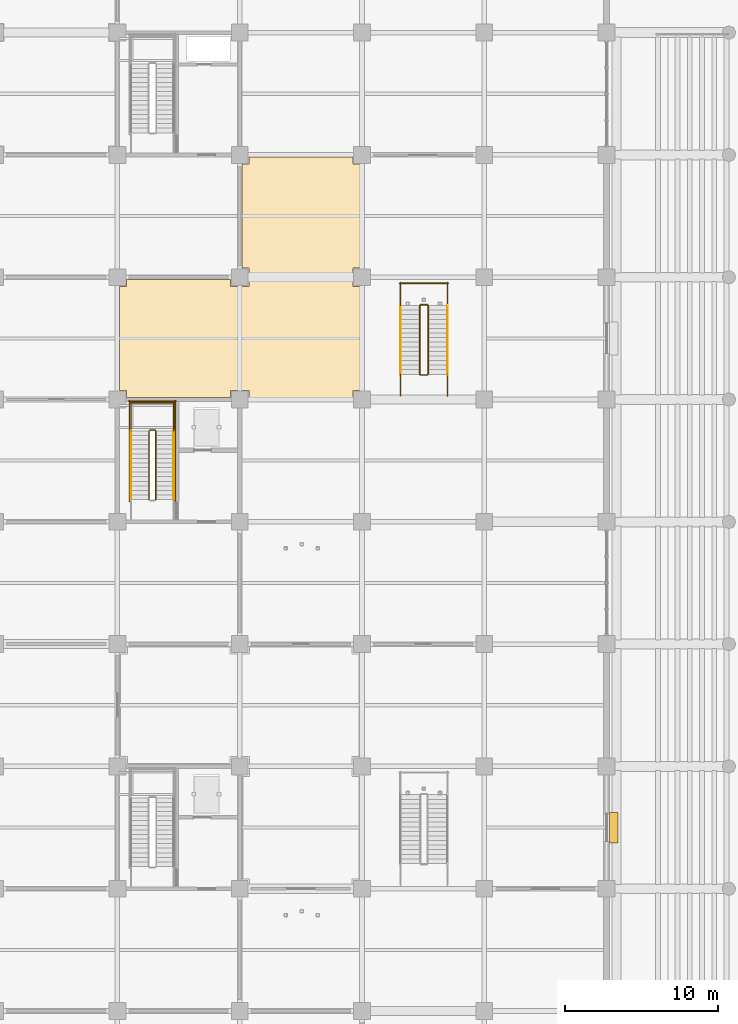
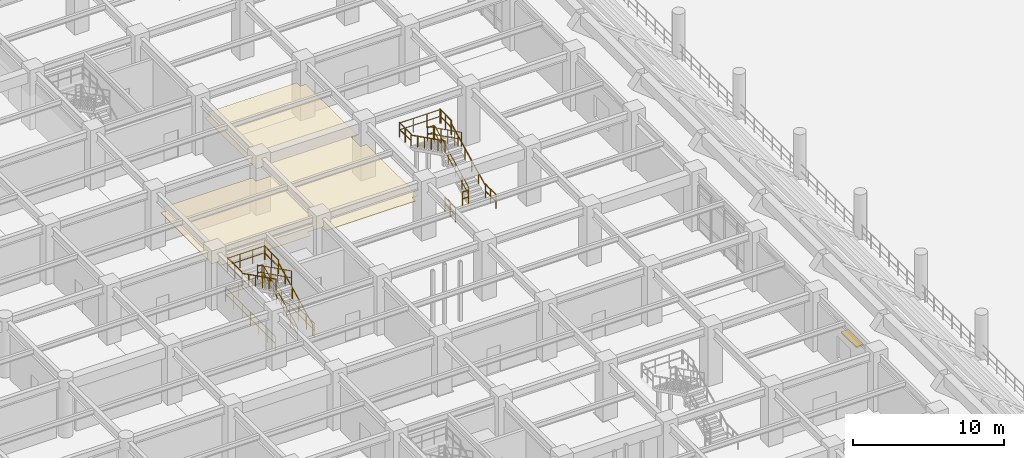
# One storey, part 110 of 125: 22 railings, 1 covering, 1 shading device.
"""IFC4 building model written with IfcOpenShell, lengths in metres."""

from ifc_helpers import new_model, si_unit, direction, frame, origin, origin_2d, place, context, subcontext, project, spatial, polyline, rectangle, circle, outline, extrude, material, layer, layer_set, type_object, element, save


model = new_model("IFC4")

# Units and contexts
model_context = context("Model", 3, precision=1e-05, world=origin(), true_north=direction((0.0, 1.0)))
body_context = subcontext(model_context, "Body", "Model", "MODEL_VIEW")
ifc_project = project(units=[si_unit("LENGTHUNIT", "METRE"), si_unit("AREAUNIT", "SQUARE_METRE"), si_unit("VOLUMEUNIT", "CUBIC_METRE"), si_unit("PLANEANGLEUNIT", "RADIAN"), si_unit("MASSUNIT", "GRAM", prefix="KILO")], contexts=[model_context])

# Site, building, storey
site_placement = place(None, origin())
site = spatial("IfcSite", under=ifc_project, at=site_placement, CompositionType="ELEMENT")
building_placement = place(site_placement, origin())
building = spatial("IfcBuilding", under=site, at=building_placement, Name="Haebicheon Civic Stadium", CompositionType="ELEMENT")
storey_placement = place(building_placement, origin())
storey = spatial("IfcBuildingStorey", under=building, at=storey_placement, Name="L01", CompositionType="ELEMENT", Elevation=0.0)

# Covering
ifc_material_1 = material(Name="Perforated mineral-fibre acoustic board", Category="gypsum")
ifc_layer_1 = layer(ifc_material_1, 0.0400390625, Name="Perforated mineral-fibre acoustic board")
ifc_layer_set_1 = layer_set([ifc_layer_1], Name="Perforated mineral-fibre acoustic board")
covering_type = type_object("IfcCoveringType", Name="COV-CLG-AC", PredefinedType="CEILING", material=ifc_layer_set_1)
covering_placement = place(storey_placement, frame((0.0, 0.0, 2.81005859375)))
element("IfcCovering", 1, at=covering_placement, inside=storey, type_object=covering_type, material=ifc_layer_set_1, Name="L01 Main Spectator Concourse acoustic ceiling", PredefinedType="CEILING", context=body_context, shape_type="SweptSolid", body=[
    extrude(outline(polyline([(32.14501953125, 119.405029296875), (32.594970703125, 119.405029296875), (32.594970703125, 119.85498046875), (39.405029296875, 119.85498046875), (39.405029296875, 119.405029296875), (40.594970703125, 119.405029296875), (40.594970703125, 120.594970703125), (40.14501953125, 120.594970703125), (40.14501953125, 127.405029296875), (40.594970703125, 127.405029296875), (40.594970703125, 127.85498046875), (47.405029296875, 127.85498046875), (47.405029296875, 127.405029296875), (47.85498046875, 127.405029296875), (47.85498046875, 120.594970703125), (47.405029296875, 120.594970703125), (47.405029296875, 119.405029296875), (47.85498046875, 119.405029296875), (47.85498046875, 112.594970703125), (47.405029296875, 112.594970703125), (47.405029296875, 112.14501953125), (40.594970703125, 112.14501953125), (40.594970703125, 112.594970703125), (39.405029296875, 112.594970703125), (39.405029296875, 112.14501953125), (32.594970703125, 112.14501953125), (32.594970703125, 112.594970703125), (32.14501953125, 112.594970703125), (32.14501953125, 119.405029296875)])), origin(), (0.0, 0.0, 1.0), 0.0400390625),
])

# Railings
ifc_material_2 = material(Name="Galvanised painted steel SM355", Category="steel")
railing_type_1 = type_object("IfcRailingType", Name="RL-GRD-1150", PredefinedType="GUARDRAIL", material=ifc_material_2)
railing_1_placement = place(storey_placement, frame((34.510009765625, 105.449951171875, 0.14990234375)))
element("IfcRailing", 2, at=railing_1_placement, inside=storey, type_object=railing_type_1, material=ifc_material_2, Name="L01 ST-04 stair guard 1", PredefinedType="GUARDRAIL", context=body_context, shape_type="SweptSolid", body=[
    extrude(circle(Radius=0.02392578125, at=origin_2d()), frame((0.0, 0.0, 1.1259765625), z_axis=(0.0, 0.894427191, 0.4472135955), x_axis=(-1.0, 0.0, 0.0)), (0.0, 0.0, 1.0), 5.03125),
    extrude(circle(Radius=0.02392578125, at=origin_2d()), frame((0.0, 0.0, 0.574951171875), z_axis=(0.0, 0.894427191, 0.4472135955), x_axis=(-1.0, 0.0, 0.0)), (0.0, 0.0, 1.0), 5.03125),
    extrude(circle(Radius=0.02099609375, at=origin_2d()), origin(), (0.0, 0.0, 1.0), 1.101806640625),
    extrude(circle(Radius=0.02099609375, at=origin_2d()), frame((0.0, 0.89990234375, 0.449951171875)), (0.0, 0.0, 1.0), 1.101806640625),
    extrude(circle(Radius=0.02099609375, at=origin_2d()), frame((0.0, 1.800048828125, 0.89990234375)), (0.0, 0.0, 1.0), 1.101806640625),
    extrude(circle(Radius=0.02099609375, at=origin_2d()), frame((0.0, 2.699951171875, 1.35009765625)), (0.0, 0.0, 1.0), 1.101806640625),
    extrude(circle(Radius=0.02099609375, at=origin_2d()), frame((0.0, 3.60009765625, 1.800048828125)), (0.0, 0.0, 1.0), 1.101806640625),
    extrude(circle(Radius=0.02099609375, at=origin_2d()), frame((0.0, 4.5, 2.25)), (0.0, 0.0, 1.0), 1.101806640625),
])
railing_2_placement = place(storey_placement, frame((34.4599609375, 110.0, 2.39990234375)))
element("IfcRailing", 3, at=railing_2_placement, inside=storey, type_object=railing_type_1, material=ifc_material_2, Name="L01 ST-04 stair guard 2", PredefinedType="GUARDRAIL", context=body_context, shape_type="SweptSolid", body=[
    extrude(circle(Radius=0.02392578125, at=origin_2d()), frame((0.0, 0.0, 1.1259765625), z_axis=(-1.0, 0.0, 0.0), x_axis=(0.0, -1.0, 0.0)), (0.0, 0.0, 1.0), 0.33984375),
    extrude(circle(Radius=0.02392578125, at=origin_2d()), frame((0.0, 0.0, 0.574951171875), z_axis=(-1.0, 0.0, 0.0), x_axis=(0.0, -1.0, 0.0)), (0.0, 0.0, 1.0), 0.33984375),
    extrude(circle(Radius=0.02099609375, at=origin_2d()), origin(), (0.0, 0.0, 1.0), 1.101806640625),
    extrude(circle(Radius=0.02099609375, at=origin_2d()), frame((-0.33984375, 0.0, 0.0)), (0.0, 0.0, 1.0), 1.101806640625),
])
for number, where, name in (
    (4, (35.68994140625, 109.949951171875, 2.39990234375), "L01 ST-04 stair guard 3"),
    (5, (32.889892578125, 109.949951171875, 2.39990234375), "L01 ST-04 stair guard 4"),
):
    element("IfcRailing", number, at=place(storey_placement, frame(where)), inside=storey, type_object=railing_type_1, material=ifc_material_2, Name=name, PredefinedType="GUARDRAIL", context=body_context, shape_type="SweptSolid", body=[
        extrude(circle(Radius=0.02392578125, at=origin_2d()), frame((0.0, 0.0, 1.1259765625), z_axis=(0.0, 1.0, 0.0), x_axis=(-1.0, 0.0, 0.0)), (0.0, 0.0, 1.0), 1.89013671875),
        extrude(circle(Radius=0.02392578125, at=origin_2d()), frame((0.0, 0.0, 0.574951171875), z_axis=(0.0, 1.0, 0.0), x_axis=(-1.0, 0.0, 0.0)), (0.0, 0.0, 1.0), 1.89013671875),
        extrude(circle(Radius=0.02099609375, at=origin_2d()), origin(), (0.0, 0.0, 1.0), 1.101806640625),
        extrude(circle(Radius=0.02099609375, at=origin_2d()), frame((0.0, 0.945068359375, 0.0)), (0.0, 0.0, 1.0), 1.101806640625),
        extrude(circle(Radius=0.02099609375, at=origin_2d()), frame((0.0, 1.89013671875, 0.0)), (0.0, 0.0, 1.0), 1.101806640625),
    ])
railing_3_placement = place(storey_placement, frame((35.739990234375, 111.7900390625, 2.39990234375)))
element("IfcRailing", 6, at=railing_3_placement, inside=storey, type_object=railing_type_1, material=ifc_material_2, Name="L01 ST-04 stair guard 5", PredefinedType="GUARDRAIL", context=body_context, shape_type="SweptSolid", body=[
    extrude(circle(Radius=0.02392578125, at=origin_2d()), frame((0.0, 0.0, 1.1259765625), z_axis=(-1.0, 0.0, 0.0), x_axis=(0.0, -1.0, 0.0)), (0.0, 0.0, 1.0), 2.89990234375),
    extrude(circle(Radius=0.02392578125, at=origin_2d()), frame((0.0, 0.0, 0.574951171875), z_axis=(-1.0, 0.0, 0.0), x_axis=(0.0, -1.0, 0.0)), (0.0, 0.0, 1.0), 2.89990234375),
    extrude(circle(Radius=0.02099609375, at=origin_2d()), origin(), (0.0, 0.0, 1.0), 1.101806640625),
    extrude(circle(Radius=0.02099609375, at=origin_2d()), frame((-0.966552734375, 0.0, 0.0)), (0.0, 0.0, 1.0), 1.101806640625),
    extrude(circle(Radius=0.02099609375, at=origin_2d()), frame((-1.933349609375, 0.0, 0.0)), (0.0, 0.0, 1.0), 1.101806640625),
    extrude(circle(Radius=0.02099609375, at=origin_2d()), frame((-2.89990234375, 0.0, 0.0)), (0.0, 0.0, 1.0), 1.101806640625),
])
railing_4_placement = place(storey_placement, frame((34.070068359375, 109.949951171875, 2.550048828125)))
element("IfcRailing", 7, at=railing_4_placement, inside=storey, type_object=railing_type_1, material=ifc_material_2, Name="L01 ST-04 stair guard 6", PredefinedType="GUARDRAIL", context=body_context, shape_type="SweptSolid", body=[
    extrude(circle(Radius=0.02392578125, at=origin_2d()), frame((0.0, 0.0, 1.1259765625), z_axis=(0.0, -0.894427191, 0.4472135955), x_axis=(1.0, 0.0, 0.0)), (0.0, 0.0, 1.0), 5.03125),
    extrude(circle(Radius=0.02392578125, at=origin_2d()), frame((0.0, 0.0, 0.574951171875), z_axis=(0.0, -0.894427191, 0.4472135955), x_axis=(1.0, 0.0, 0.0)), (0.0, 0.0, 1.0), 5.03125),
    extrude(circle(Radius=0.02099609375, at=origin_2d()), origin(), (0.0, 0.0, 1.0), 1.101806640625),
    extrude(circle(Radius=0.02099609375, at=origin_2d()), frame((0.0, -0.89990234375, 0.449951171875)), (0.0, 0.0, 1.0), 1.101806640625),
    extrude(circle(Radius=0.02099609375, at=origin_2d()), frame((0.0, -1.800048828125, 0.89990234375)), (0.0, 0.0, 1.0), 1.101806640625),
    extrude(circle(Radius=0.02099609375, at=origin_2d()), frame((0.0, -2.699951171875, 1.35009765625)), (0.0, 0.0, 1.0), 1.101806640625),
    extrude(circle(Radius=0.02099609375, at=origin_2d()), frame((0.0, -3.60009765625, 1.800048828125)), (0.0, 0.0, 1.0), 1.101806640625),
    extrude(circle(Radius=0.02099609375, at=origin_2d()), frame((0.0, -4.5, 2.25)), (0.0, 0.0, 1.0), 1.101806640625),
])
for number, where, name in (
    (8, (35.7900390625, 105.35009765625, 0.0), "L01 ST-04 stair guard 10"),
    (9, (32.7900390625, 105.35009765625, 0.0), "L01 ST-04 stair guard 11"),
):
    element("IfcRailing", number, at=place(storey_placement, frame(where)), inside=storey, type_object=railing_type_1, material=ifc_material_2, Name=name, PredefinedType="GUARDRAIL", context=body_context, shape_type="SweptSolid", body=[
        extrude(circle(Radius=0.02392578125, at=origin_2d()), frame((0.0, 0.0, 1.1259765625), z_axis=(0.0, 1.0, 0.0), x_axis=(-1.0, 0.0, 0.0)), (0.0, 0.0, 1.0), 6.58984375),
        extrude(circle(Radius=0.02392578125, at=origin_2d()), frame((0.0, 0.0, 0.574951171875), z_axis=(0.0, 1.0, 0.0), x_axis=(-1.0, 0.0, 0.0)), (0.0, 0.0, 1.0), 6.58984375),
        extrude(circle(Radius=0.02099609375, at=origin_2d()), origin(), (0.0, 0.0, 1.0), 1.101806640625),
        extrude(circle(Radius=0.02099609375, at=origin_2d()), frame((0.0, 1.098388671875, 0.0)), (0.0, 0.0, 1.0), 1.101806640625),
        extrude(circle(Radius=0.02099609375, at=origin_2d()), frame((0.0, 2.196533203125, 0.0)), (0.0, 0.0, 1.0), 1.101806640625),
        extrude(circle(Radius=0.02099609375, at=origin_2d()), frame((0.0, 3.294921875, 0.0)), (0.0, 0.0, 1.0), 1.101806640625),
        extrude(circle(Radius=0.02099609375, at=origin_2d()), frame((0.0, 4.393310546875, 0.0)), (0.0, 0.0, 1.0), 1.101806640625),
        extrude(circle(Radius=0.02099609375, at=origin_2d()), frame((0.0, 5.491455078125, 0.0)), (0.0, 0.0, 1.0), 1.101806640625),
        extrude(circle(Radius=0.02099609375, at=origin_2d()), frame((0.0, 6.58984375, 0.0)), (0.0, 0.0, 1.0), 1.101806640625),
    ])
railing_5_placement = place(storey_placement, frame((35.840087890625, 111.889892578125, 0.0)))
element("IfcRailing", 10, at=railing_5_placement, inside=storey, type_object=railing_type_1, material=ifc_material_2, Name="L01 ST-04 stair guard 12", PredefinedType="GUARDRAIL", context=body_context, shape_type="SweptSolid", body=[
    extrude(circle(Radius=0.02392578125, at=origin_2d()), frame((0.0, 0.0, 1.1259765625), z_axis=(-1.0, 0.0, 0.0), x_axis=(0.0, -1.0, 0.0)), (0.0, 0.0, 1.0), 3.10009765625),
    extrude(circle(Radius=0.02392578125, at=origin_2d()), frame((0.0, 0.0, 0.574951171875), z_axis=(-1.0, 0.0, 0.0), x_axis=(0.0, -1.0, 0.0)), (0.0, 0.0, 1.0), 3.10009765625),
    extrude(circle(Radius=0.02099609375, at=origin_2d()), origin(), (0.0, 0.0, 1.0), 1.101806640625),
    extrude(circle(Radius=0.02099609375, at=origin_2d()), frame((-1.033447265625, 0.0, 0.0)), (0.0, 0.0, 1.0), 1.101806640625),
    extrude(circle(Radius=0.02099609375, at=origin_2d()), frame((-2.066650390625, 0.0, 0.0)), (0.0, 0.0, 1.0), 1.101806640625),
    extrude(circle(Radius=0.02099609375, at=origin_2d()), frame((-3.10009765625, 0.0, 0.0)), (0.0, 0.0, 1.0), 1.101806640625),
])
railing_6_placement = place(storey_placement, frame((52.330078125, 113.64990234375, 0.14990234375)))
element("IfcRailing", 11, at=railing_6_placement, inside=storey, type_object=railing_type_1, material=ifc_material_2, Name="L01 VM-03 stair guard 1", PredefinedType="GUARDRAIL", context=body_context, shape_type="SweptSolid", body=[
    extrude(circle(Radius=0.02392578125, at=origin_2d()), frame((0.0, 0.0, 1.1259765625), z_axis=(0.0, 0.894427191, 0.4472135955), x_axis=(-1.0, 0.0, 0.0)), (0.0, 0.0, 1.0), 5.03125),
    extrude(circle(Radius=0.02392578125, at=origin_2d()), frame((0.0, 0.0, 0.574951171875), z_axis=(0.0, 0.894427191, 0.4472135955), x_axis=(-1.0, 0.0, 0.0)), (0.0, 0.0, 1.0), 5.03125),
    extrude(circle(Radius=0.02099609375, at=origin_2d()), origin(), (0.0, 0.0, 1.0), 1.101806640625),
    extrude(circle(Radius=0.02099609375, at=origin_2d()), frame((0.0, 0.89990234375, 0.449951171875)), (0.0, 0.0, 1.0), 1.101806640625),
    extrude(circle(Radius=0.02099609375, at=origin_2d()), frame((0.0, 1.800048828125, 0.89990234375)), (0.0, 0.0, 1.0), 1.101806640625),
    extrude(circle(Radius=0.02099609375, at=origin_2d()), frame((0.0, 2.699951171875, 1.35009765625)), (0.0, 0.0, 1.0), 1.101806640625),
    extrude(circle(Radius=0.02099609375, at=origin_2d()), frame((0.0, 3.60009765625, 1.800048828125)), (0.0, 0.0, 1.0), 1.101806640625),
    extrude(circle(Radius=0.02099609375, at=origin_2d()), frame((0.0, 4.5, 2.25)), (0.0, 0.0, 1.0), 1.101806640625),
])
railing_7_placement = place(storey_placement, frame((52.280029296875, 118.199951171875, 2.39990234375)))
element("IfcRailing", 12, at=railing_7_placement, inside=storey, type_object=railing_type_1, material=ifc_material_2, Name="L01 VM-03 stair guard 2", PredefinedType="GUARDRAIL", context=body_context, shape_type="SweptSolid", body=[
    extrude(circle(Radius=0.02392578125, at=origin_2d()), frame((0.0, 0.0, 1.1259765625), z_axis=(-1.0, 0.0, 0.0), x_axis=(0.0, -1.0, 0.0)), (0.0, 0.0, 1.0), 0.4599609375),
    extrude(circle(Radius=0.02392578125, at=origin_2d()), frame((0.0, 0.0, 0.574951171875), z_axis=(-1.0, 0.0, 0.0), x_axis=(0.0, -1.0, 0.0)), (0.0, 0.0, 1.0), 0.4599609375),
    extrude(circle(Radius=0.02099609375, at=origin_2d()), origin(), (0.0, 0.0, 1.0), 1.101806640625),
    extrude(circle(Radius=0.02099609375, at=origin_2d()), frame((-0.4599609375, 0.0, 0.0)), (0.0, 0.0, 1.0), 1.101806640625),
])
for number, where, name in (
    (13, (53.590087890625, 118.14990234375, 2.39990234375), "L01 VM-03 stair guard 3"),
    (14, (50.510009765625, 118.14990234375, 2.39990234375), "L01 VM-03 stair guard 4"),
):
    element("IfcRailing", number, at=place(storey_placement, frame(where)), inside=storey, type_object=railing_type_1, material=ifc_material_2, Name=name, PredefinedType="GUARDRAIL", context=body_context, shape_type="SweptSolid", body=[
        extrude(circle(Radius=0.02392578125, at=origin_2d()), frame((0.0, 0.0, 1.1259765625), z_axis=(0.0, 1.0, 0.0), x_axis=(-1.0, 0.0, 0.0)), (0.0, 0.0, 1.0), 1.5),
        extrude(circle(Radius=0.02392578125, at=origin_2d()), frame((0.0, 0.0, 0.574951171875), z_axis=(0.0, 1.0, 0.0), x_axis=(-1.0, 0.0, 0.0)), (0.0, 0.0, 1.0), 1.5),
        extrude(circle(Radius=0.02099609375, at=origin_2d()), origin(), (0.0, 0.0, 1.0), 1.101806640625),
        extrude(circle(Radius=0.02099609375, at=origin_2d()), frame((0.0, 0.75, 0.0)), (0.0, 0.0, 1.0), 1.101806640625),
        extrude(circle(Radius=0.02099609375, at=origin_2d()), frame((0.0, 1.5, 0.0)), (0.0, 0.0, 1.0), 1.101806640625),
    ])
railing_8_placement = place(storey_placement, frame((53.639892578125, 119.60009765625, 2.39990234375)))
element("IfcRailing", 15, at=railing_8_placement, inside=storey, type_object=railing_type_1, material=ifc_material_2, Name="L01 VM-03 stair guard 5", PredefinedType="GUARDRAIL", context=body_context, shape_type="SweptSolid", body=[
    extrude(circle(Radius=0.02392578125, at=origin_2d()), frame((0.0, 0.0, 1.1259765625), z_axis=(-1.0, 0.0, 0.0), x_axis=(0.0, -1.0, 0.0)), (0.0, 0.0, 1.0), 3.179931640625),
    extrude(circle(Radius=0.02392578125, at=origin_2d()), frame((0.0, 0.0, 0.574951171875), z_axis=(-1.0, 0.0, 0.0), x_axis=(0.0, -1.0, 0.0)), (0.0, 0.0, 1.0), 3.179931640625),
    extrude(circle(Radius=0.02099609375, at=origin_2d()), origin(), (0.0, 0.0, 1.0), 1.101806640625),
    extrude(circle(Radius=0.02099609375, at=origin_2d()), frame((-1.06005859375, 0.0, 0.0)), (0.0, 0.0, 1.0), 1.101806640625),
    extrude(circle(Radius=0.02099609375, at=origin_2d()), frame((-2.119873046875, 0.0, 0.0)), (0.0, 0.0, 1.0), 1.101806640625),
    extrude(circle(Radius=0.02099609375, at=origin_2d()), frame((-3.179931640625, 0.0, 0.0)), (0.0, 0.0, 1.0), 1.101806640625),
])
railing_9_placement = place(storey_placement, frame((51.77001953125, 118.14990234375, 2.550048828125)))
element("IfcRailing", 16, at=railing_9_placement, inside=storey, type_object=railing_type_1, material=ifc_material_2, Name="L01 VM-03 stair guard 6", PredefinedType="GUARDRAIL", context=body_context, shape_type="SweptSolid", body=[
    extrude(circle(Radius=0.02392578125, at=origin_2d()), frame((0.0, 0.0, 1.1259765625), z_axis=(0.0, -0.894427191, 0.4472135955), x_axis=(1.0, 0.0, 0.0)), (0.0, 0.0, 1.0), 5.03125),
    extrude(circle(Radius=0.02392578125, at=origin_2d()), frame((0.0, 0.0, 0.574951171875), z_axis=(0.0, -0.894427191, 0.4472135955), x_axis=(1.0, 0.0, 0.0)), (0.0, 0.0, 1.0), 5.03125),
    extrude(circle(Radius=0.02099609375, at=origin_2d()), origin(), (0.0, 0.0, 1.0), 1.101806640625),
    extrude(circle(Radius=0.02099609375, at=origin_2d()), frame((0.0, -0.89990234375, 0.449951171875)), (0.0, 0.0, 1.0), 1.101806640625),
    extrude(circle(Radius=0.02099609375, at=origin_2d()), frame((0.0, -1.800048828125, 0.89990234375)), (0.0, 0.0, 1.0), 1.101806640625),
    extrude(circle(Radius=0.02099609375, at=origin_2d()), frame((0.0, -2.699951171875, 1.35009765625)), (0.0, 0.0, 1.0), 1.101806640625),
    extrude(circle(Radius=0.02099609375, at=origin_2d()), frame((0.0, -3.60009765625, 1.800048828125)), (0.0, 0.0, 1.0), 1.101806640625),
    extrude(circle(Radius=0.02099609375, at=origin_2d()), frame((0.0, -4.5, 2.25)), (0.0, 0.0, 1.0), 1.101806640625),
])
railing_10_placement = place(storey_placement, frame((52.280029296875, 113.60009765625, 0.0)))
element("IfcRailing", 17, at=railing_10_placement, inside=storey, type_object=railing_type_1, material=ifc_material_2, Name="L01 VM-03 stair guard 7", PredefinedType="GUARDRAIL", context=body_context, shape_type="SweptSolid", body=[
    extrude(circle(Radius=0.02392578125, at=origin_2d()), frame((0.0, 0.0, 1.1259765625), z_axis=(-1.0, 0.0, 0.0), x_axis=(0.0, -1.0, 0.0)), (0.0, 0.0, 1.0), 0.4599609375),
    extrude(circle(Radius=0.02392578125, at=origin_2d()), frame((0.0, 0.0, 0.574951171875), z_axis=(-1.0, 0.0, 0.0), x_axis=(0.0, -1.0, 0.0)), (0.0, 0.0, 1.0), 0.4599609375),
    extrude(circle(Radius=0.02099609375, at=origin_2d()), origin(), (0.0, 0.0, 1.0), 1.101806640625),
    extrude(circle(Radius=0.02099609375, at=origin_2d()), frame((-0.4599609375, 0.0, 0.0)), (0.0, 0.0, 1.0), 1.101806640625),
])
for number, where, name in (
    (18, (53.590087890625, 112.25, 0.0), "L01 VM-03 stair guard 8"),
    (19, (50.510009765625, 112.25, 0.0), "L01 VM-03 stair guard 9"),
):
    element("IfcRailing", number, at=place(storey_placement, frame(where)), inside=storey, type_object=railing_type_1, material=ifc_material_2, Name=name, PredefinedType="GUARDRAIL", context=body_context, shape_type="SweptSolid", body=[
        extrude(circle(Radius=0.02392578125, at=origin_2d()), frame((0.0, 0.0, 1.1259765625), z_axis=(0.0, 1.0, 0.0), x_axis=(-1.0, 0.0, 0.0)), (0.0, 0.0, 1.0), 1.39990234375),
        extrude(circle(Radius=0.02392578125, at=origin_2d()), frame((0.0, 0.0, 0.574951171875), z_axis=(0.0, 1.0, 0.0), x_axis=(-1.0, 0.0, 0.0)), (0.0, 0.0, 1.0), 1.39990234375),
        extrude(circle(Radius=0.02099609375, at=origin_2d()), origin(), (0.0, 0.0, 1.0), 1.101806640625),
        extrude(circle(Radius=0.02099609375, at=origin_2d()), frame((0.0, 0.699951171875, 0.0)), (0.0, 0.0, 1.0), 1.101806640625),
        extrude(circle(Radius=0.02099609375, at=origin_2d()), frame((0.0, 1.39990234375, 0.0)), (0.0, 0.0, 1.0), 1.101806640625),
    ])
ifc_material_3 = material(Name="Stainless steel 316", Category="steel")
railing_type_2 = type_object("IfcRailingType", Name="RL-HND-900", PredefinedType="HANDRAIL", material=ifc_material_3)
railing_11_placement = place(storey_placement, frame((35.68994140625, 105.449951171875, 0.14990234375)))
element("IfcRailing", 20, at=railing_11_placement, inside=storey, type_object=railing_type_2, material=ifc_material_3, Name="L01 ST-04 stair handrail 1", PredefinedType="HANDRAIL", context=body_context, shape_type="SweptSolid", body=[
    extrude(circle(Radius=0.02392578125, at=origin_2d()), frame((0.0, 0.0, 0.8759765625), z_axis=(0.0, 0.894427191, 0.4472135955), x_axis=(-1.0, 0.0, 0.0)), (0.0, 0.0, 1.0), 5.03125),
    extrude(circle(Radius=0.02099609375, at=origin_2d()), origin(), (0.0, 0.0, 1.0), 0.851806640625),
    extrude(circle(Radius=0.02099609375, at=origin_2d()), frame((0.0, 0.89990234375, 0.449951171875)), (0.0, 0.0, 1.0), 0.851806640625),
    extrude(circle(Radius=0.02099609375, at=origin_2d()), frame((0.0, 1.800048828125, 0.89990234375)), (0.0, 0.0, 1.0), 0.851806640625),
    extrude(circle(Radius=0.02099609375, at=origin_2d()), frame((0.0, 2.699951171875, 1.35009765625)), (0.0, 0.0, 1.0), 0.851806640625),
    extrude(circle(Radius=0.02099609375, at=origin_2d()), frame((0.0, 3.60009765625, 1.800048828125)), (0.0, 0.0, 1.0), 0.851806640625),
    extrude(circle(Radius=0.02099609375, at=origin_2d()), frame((0.0, 4.5, 2.25)), (0.0, 0.0, 1.0), 0.851806640625),
])
railing_12_placement = place(storey_placement, frame((32.889892578125, 109.949951171875, 2.550048828125)))
element("IfcRailing", 21, at=railing_12_placement, inside=storey, type_object=railing_type_2, material=ifc_material_3, Name="L01 ST-04 stair handrail 2", PredefinedType="HANDRAIL", context=body_context, shape_type="SweptSolid", body=[
    extrude(circle(Radius=0.02392578125, at=origin_2d()), frame((0.0, 0.0, 0.8759765625), z_axis=(0.0, -0.894427191, 0.4472135955), x_axis=(1.0, 0.0, 0.0)), (0.0, 0.0, 1.0), 5.03125),
    extrude(circle(Radius=0.02099609375, at=origin_2d()), origin(), (0.0, 0.0, 1.0), 0.851806640625),
    extrude(circle(Radius=0.02099609375, at=origin_2d()), frame((0.0, -0.89990234375, 0.449951171875)), (0.0, 0.0, 1.0), 0.851806640625),
    extrude(circle(Radius=0.02099609375, at=origin_2d()), frame((0.0, -1.800048828125, 0.89990234375)), (0.0, 0.0, 1.0), 0.851806640625),
    extrude(circle(Radius=0.02099609375, at=origin_2d()), frame((0.0, -2.699951171875, 1.35009765625)), (0.0, 0.0, 1.0), 0.851806640625),
    extrude(circle(Radius=0.02099609375, at=origin_2d()), frame((0.0, -3.60009765625, 1.800048828125)), (0.0, 0.0, 1.0), 0.851806640625),
    extrude(circle(Radius=0.02099609375, at=origin_2d()), frame((0.0, -4.5, 2.25)), (0.0, 0.0, 1.0), 0.851806640625),
])
railing_13_placement = place(storey_placement, frame((53.590087890625, 113.64990234375, 0.14990234375)))
element("IfcRailing", 22, at=railing_13_placement, inside=storey, type_object=railing_type_2, material=ifc_material_3, Name="L01 VM-03 stair handrail 1", PredefinedType="HANDRAIL", context=body_context, shape_type="SweptSolid", body=[
    extrude(circle(Radius=0.02392578125, at=origin_2d()), frame((0.0, 0.0, 0.8759765625), z_axis=(0.0, 0.894427191, 0.4472135955), x_axis=(-1.0, 0.0, 0.0)), (0.0, 0.0, 1.0), 5.03125),
    extrude(circle(Radius=0.02099609375, at=origin_2d()), origin(), (0.0, 0.0, 1.0), 0.851806640625),
    extrude(circle(Radius=0.02099609375, at=origin_2d()), frame((0.0, 0.89990234375, 0.449951171875)), (0.0, 0.0, 1.0), 0.851806640625),
    extrude(circle(Radius=0.02099609375, at=origin_2d()), frame((0.0, 1.800048828125, 0.89990234375)), (0.0, 0.0, 1.0), 0.851806640625),
    extrude(circle(Radius=0.02099609375, at=origin_2d()), frame((0.0, 2.699951171875, 1.35009765625)), (0.0, 0.0, 1.0), 0.851806640625),
    extrude(circle(Radius=0.02099609375, at=origin_2d()), frame((0.0, 3.60009765625, 1.800048828125)), (0.0, 0.0, 1.0), 0.851806640625),
    extrude(circle(Radius=0.02099609375, at=origin_2d()), frame((0.0, 4.5, 2.25)), (0.0, 0.0, 1.0), 0.851806640625),
])
railing_14_placement = place(storey_placement, frame((50.510009765625, 118.14990234375, 2.550048828125)))
element("IfcRailing", 23, at=railing_14_placement, inside=storey, type_object=railing_type_2, material=ifc_material_3, Name="L01 VM-03 stair handrail 2", PredefinedType="HANDRAIL", context=body_context, shape_type="SweptSolid", body=[
    extrude(circle(Radius=0.02392578125, at=origin_2d()), frame((0.0, 0.0, 0.8759765625), z_axis=(0.0, -0.894427191, 0.4472135955), x_axis=(1.0, 0.0, 0.0)), (0.0, 0.0, 1.0), 5.03125),
    extrude(circle(Radius=0.02099609375, at=origin_2d()), origin(), (0.0, 0.0, 1.0), 0.851806640625),
    extrude(circle(Radius=0.02099609375, at=origin_2d()), frame((0.0, -0.89990234375, 0.449951171875)), (0.0, 0.0, 1.0), 0.851806640625),
    extrude(circle(Radius=0.02099609375, at=origin_2d()), frame((0.0, -1.800048828125, 0.89990234375)), (0.0, 0.0, 1.0), 0.851806640625),
    extrude(circle(Radius=0.02099609375, at=origin_2d()), frame((0.0, -2.699951171875, 1.35009765625)), (0.0, 0.0, 1.0), 0.851806640625),
    extrude(circle(Radius=0.02099609375, at=origin_2d()), frame((0.0, -3.60009765625, 1.800048828125)), (0.0, 0.0, 1.0), 0.851806640625),
    extrude(circle(Radius=0.02099609375, at=origin_2d()), frame((0.0, -4.5, 2.25)), (0.0, 0.0, 1.0), 0.851806640625),
])

# Shading device
ifc_material_4 = material(Name="Anodised aluminium 6063-T6", Category="aluminium")
ifc_layer_2 = layer(ifc_material_4, 0.1201171875, Name="Anodised aluminium 6063-T6")
ifc_layer_set_2 = layer_set([ifc_layer_2], Name="Anodised aluminium 6063-T6")
shading_device_type = type_object("IfcShadingDeviceType", Name="SHD-ALU-LVR", PredefinedType="USERDEFINED", material=ifc_layer_set_2)
shading_device_placement = place(storey_placement, frame((64.455078125, 84.0, 2.77001953125), z_axis=(0.0, 0.0, 1.0), x_axis=(1.0, 0.0, 0.0)))
element("IfcShadingDevice", 24, at=shading_device_placement, inside=storey, type_object=shading_device_type, material=ifc_layer_set_2, Name="L01 window sunshade louvre hood 01", ObjectType="LOUVRE", PredefinedType="USERDEFINED", context=body_context, shape_type="SweptSolid", body=[
    extrude(rectangle(XDim=0.550048828125, YDim=2.0, at=origin_2d()), origin(), (0.0, 0.0, 1.0), 0.1201171875),
])

save(model, "model.ifc")
